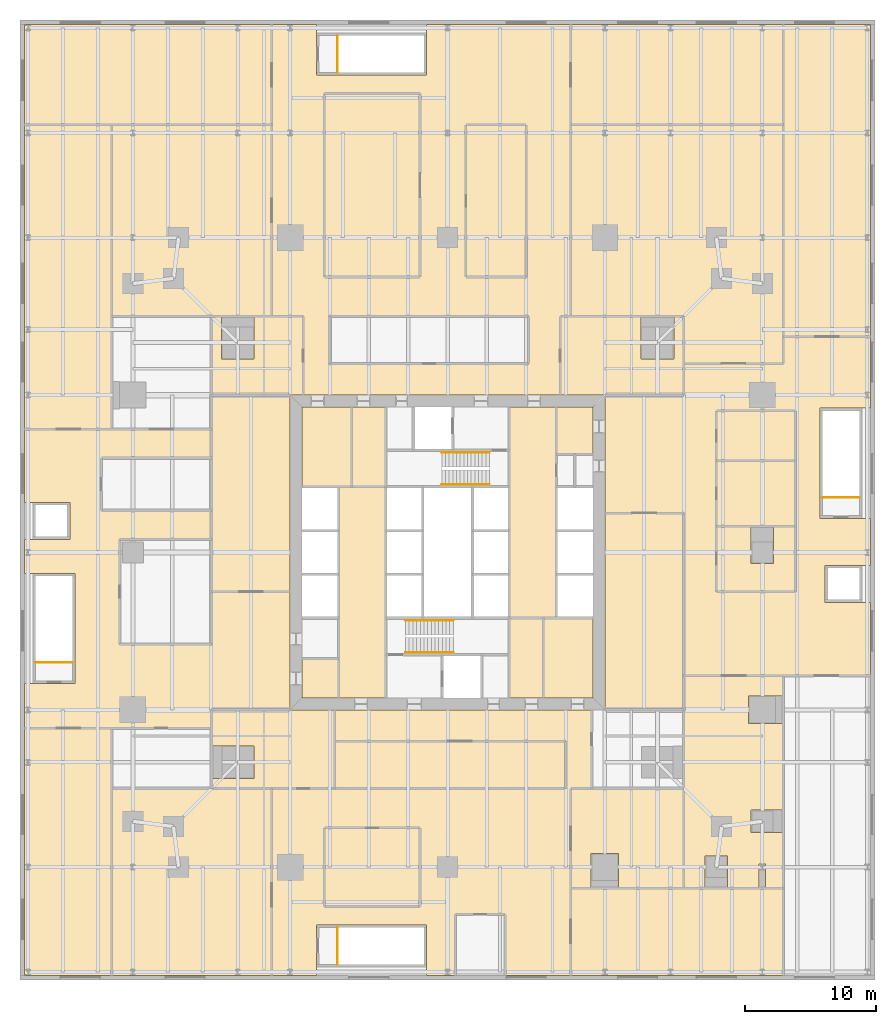
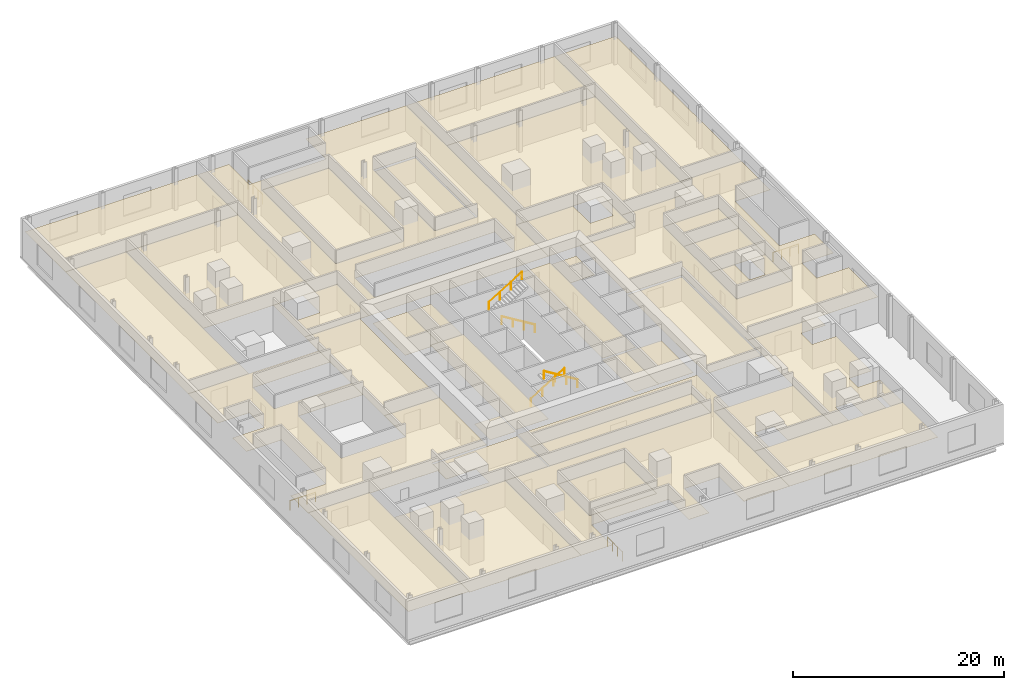
# One storey, part 15 of 15: 35 coverings, 8 railings.
"""IFC4 building model written with IfcOpenShell, lengths in metres."""

from ifc_helpers import new_model, si_unit, direction, frame, origin, origin_2d, place, context, subcontext, project, spatial, polyline, circle, outline, extrude, material, layer, layer_set, type_object, element, save


model = new_model("IFC4")

# Units and contexts
model_context = context("Model", 3, precision=1e-05, world=origin(), true_north=direction((0.0, 1.0)))
body_context = subcontext(model_context, "Body", "Model", "MODEL_VIEW")
ifc_project = project(units=[si_unit("LENGTHUNIT", "METRE"), si_unit("AREAUNIT", "SQUARE_METRE"), si_unit("VOLUMEUNIT", "CUBIC_METRE"), si_unit("PLANEANGLEUNIT", "RADIAN"), si_unit("MASSUNIT", "GRAM", prefix="KILO")], contexts=[model_context])

# Site, building, storey
site_placement = place(None, origin())
site = spatial("IfcSite", under=ifc_project, at=site_placement, CompositionType="ELEMENT")
building_placement = place(site_placement, origin())
building = spatial("IfcBuilding", under=site, at=building_placement, Name="Fenwick Lantern Interchange", CompositionType="ELEMENT")
storey_placement = place(building_placement, frame((0.0, 0.0, 26.199951171875)))
storey = spatial("IfcBuildingStorey", under=building, at=storey_placement, Name="L05", CompositionType="ELEMENT", Elevation=26.199951171875)

# Coverings
ifc_material_1 = material(Name="Mineral fibre acoustic tile on suspended grid")
ifc_layer_1 = layer(ifc_material_1, 0.02001953125)
ifc_layer_set_1 = layer_set([ifc_layer_1], Name="ACOUSTIC TILE CEILING 20")
covering_type_1 = type_object("IfcCoveringType", Name="ACOUSTIC TILE CEILING 20", PredefinedType="CEILING", material=ifc_layer_set_1)
covering_1_placement = place(storey_placement, frame((0.0, 0.0, 2.900146484375)))
element("IfcCovering", 1, at=covering_1_placement, inside=storey, type_object=covering_type_1, Name="Business centre corridor north ceiling", PredefinedType="CEILING", context=body_context, shape_type="SweptSolid", body=[
    extrude(outline(polyline([(34.39990234375, 65.25), (23.39990234375, 65.25), (23.39990234375, 64.60009765625), (23.39990234375, 61.39990234375), (15.0, 61.39990234375), (15.0, 64.60009765625), (15.0, 65.25), (11.60009765625, 65.25), (11.60009765625, 57.60009765625), (11.60009765625, 43.0), (14.0, 43.0), (14.0, 37.0), (33.60009765625, 37.0), (33.60009765625, 43.0), (34.39990234375, 43.0), (34.39990234375, 57.60009765625), (34.39990234375, 65.25)]), holes=[polyline([(16.0, 43.0), (31.199951171875, 43.0), (31.199951171875, 39.39990234375), (16.0, 39.39990234375), (16.0, 43.0)]), polyline([(26.39990234375, 57.60009765625), (31.0, 57.60009765625), (31.0, 46.0), (26.39990234375, 46.0), (26.39990234375, 57.60009765625)]), polyline([(15.60009765625, 46.0), (15.60009765625, 60.0), (22.89990234375, 60.0), (22.89990234375, 46.0), (15.60009765625, 46.0)])]), origin(), (0.0, 0.0, 1.0), 0.02001953125),
])
covering_2_placement = place(storey_placement, frame((0.0, 0.0, 2.900146484375)))
element("IfcCovering", 2, at=covering_2_placement, inside=storey, type_object=covering_type_1, Name="Business centre corridor south ceiling", PredefinedType="CEILING", context=body_context, shape_type="SweptSolid", body=[
    extrude(outline(polyline([(11.60009765625, -7.25), (15.0, -7.25), (15.0, -6.60009765625), (15.0, -3.39990234375), (23.39990234375, -3.39990234375), (23.39990234375, -6.60009765625), (23.39990234375, -7.25), (25.60009765625, -7.25), (25.60009765625, -2.60009765625), (29.39990234375, -2.60009765625), (29.39990234375, -7.25), (34.39990234375, -7.25), (34.39990234375, -0.60009765625), (34.39990234375, 7.0), (36.0, 7.0), (36.0, 13.0), (16.39990234375, 13.0), (16.39990234375, 10.60009765625), (34.0, 10.60009765625), (34.0, 7.0), (16.39990234375, 7.0), (11.60009765625, 7.0), (11.60009765625, -7.25)]), holes=[polyline([(22.89990234375, 4.0), (22.89990234375, -2.0), (15.60009765625, -2.0), (15.60009765625, 4.0), (22.89990234375, 4.0)])]), origin(), (0.0, 0.0, 1.0), 0.02001953125),
])
covering_3_placement = place(storey_placement, frame((0.0, 0.0, 2.900146484375)))
element("IfcCovering", 3, at=covering_3_placement, inside=storey, type_object=covering_type_1, Name="Business centre corridor east ceiling", PredefinedType="CEILING", context=body_context, shape_type="SweptSolid", body=[
    extrude(outline(polyline([(57.25, 15.60009765625), (57.25, 21.199951171875), (56.60009765625, 21.199951171875), (53.800048828125, 21.199951171875), (53.800048828125, 24.0), (56.60009765625, 24.0), (57.25, 24.0), (57.25, 27.60009765625), (56.60009765625, 27.60009765625), (53.39990234375, 27.60009765625), (53.39990234375, 36.0), (56.60009765625, 36.0), (57.25, 36.0), (57.25, 41.449951171875), (50.60009765625, 41.449951171875), (50.60009765625, 39.39990234375), (43.0, 39.39990234375), (43.0, 37.0), (37.0, 37.0), (37.0, 28.0), (43.0, 28.0), (43.0, 15.60009765625), (50.60009765625, 15.60009765625), (57.25, 15.60009765625)]), holes=[polyline([(45.5, 35.800048828125), (51.5, 35.800048828125), (51.5, 32.0), (51.5, 27.0), (51.5, 22.0), (45.5, 22.0), (45.5, 27.0), (45.5, 32.0), (45.5, 35.800048828125)])]), origin(), (0.0, 0.0, 1.0), 0.02001953125),
])
covering_4_placement = place(storey_placement, frame((0.0, 0.0, 2.900146484375)))
element("IfcCovering", 4, at=covering_4_placement, inside=storey, type_object=covering_type_1, Name="Business centre corridor west ceiling", PredefinedType="CEILING", context=body_context, shape_type="SweptSolid", body=[
    extrude(outline(polyline([(-7.25, 34.39990234375), (-7.25, 28.800048828125), (-6.60009765625, 28.800048828125), (-3.800048828125, 28.800048828125), (-3.800048828125, 26.0), (-6.60009765625, 26.0), (-7.25, 26.0), (-7.25, 23.39990234375), (-6.60009765625, 23.39990234375), (-3.39990234375, 23.39990234375), (-3.39990234375, 15.0), (-6.60009765625, 15.0), (-7.25, 15.0), (-7.25, 11.60009765625), (-0.60009765625, 11.60009765625), (7.0, 11.60009765625), (7.0, 13.0), (13.0, 13.0), (13.0, 22.0), (7.0, 22.0), (7.0, 18.0), (0.0, 18.0), (0.0, 26.0), (7.0, 26.0), (7.0, 28.199951171875), (-1.39990234375, 28.199951171875), (-1.39990234375, 32.199951171875), (7.0, 32.199951171875), (7.0, 34.39990234375), (-0.60009765625, 34.39990234375), (-7.25, 34.39990234375)])), origin(), (0.0, 0.0, 1.0), 0.02001953125),
])
covering_5_placement = place(storey_placement, frame((0.0, 0.0, 2.900146484375)))
element("IfcCovering", 5, at=covering_5_placement, inside=storey, type_object=covering_type_1, Name="Office suite 05-1 ceiling", PredefinedType="CEILING", context=body_context, shape_type="SweptSolid", body=[
    extrude(outline(polyline([(-0.60009765625, -7.25), (11.60009765625, -7.25), (11.60009765625, 7.0), (-0.60009765625, 7.0), (-0.60009765625, -7.25)])), origin(), (0.0, 0.0, 1.0), 0.02001953125),
])
covering_6_placement = place(storey_placement, frame((0.0, 0.0, 2.900146484375)))
element("IfcCovering", 6, at=covering_6_placement, inside=storey, type_object=covering_type_1, Name="Office suite 05-8 ceiling", PredefinedType="CEILING", context=body_context, shape_type="SweptSolid", body=[
    extrude(outline(polyline([(34.39990234375, -0.60009765625), (34.39990234375, -7.25), (50.60009765625, -7.25), (50.60009765625, -0.60009765625), (34.39990234375, -0.60009765625)])), origin(), (0.0, 0.0, 1.0), 0.02001953125),
])
covering_7_placement = place(storey_placement, frame((0.0, 0.0, 2.900146484375)))
element("IfcCovering", 7, at=covering_7_placement, inside=storey, type_object=covering_type_1, Name="Meeting room 05-2 ceiling", PredefinedType="CEILING", context=body_context, shape_type="SweptSolid", body=[
    extrude(outline(polyline([(34.39990234375, 7.0), (34.39990234375, -0.60009765625), (35.949951171875, -0.60009765625), (35.949951171875, 2.050048828125), (38.050048828125, 2.050048828125), (38.050048828125, -0.60009765625), (43.0, -0.60009765625), (43.0, 7.0), (34.39990234375, 7.0)])), origin(), (0.0, 0.0, 1.0), 0.02001953125),
])
covering_8_placement = place(storey_placement, frame((0.0, 0.0, 2.900146484375)))
element("IfcCovering", 8, at=covering_8_placement, inside=storey, type_object=covering_type_1, Name="Office suite 05-2 ceiling", PredefinedType="CEILING", context=body_context, shape_type="SweptSolid", body=[
    extrude(outline(polyline([(47.949951171875, 14.050048828125), (50.60009765625, 14.050048828125), (50.60009765625, 15.60009765625), (43.0, 15.60009765625), (43.0, -0.60009765625), (44.64990234375, -0.60009765625), (44.64990234375, 1.85009765625), (46.35009765625, 1.85009765625), (46.35009765625, -0.60009765625), (48.746826171875, -0.60009765625), (48.746826171875, 1.25830078125), (49.253173828125, 1.25830078125), (49.253173828125, -0.60009765625), (50.60009765625, -0.60009765625), (50.60009765625, 3.64990234375), (48.14990234375, 3.64990234375), (48.14990234375, 5.35009765625), (50.60009765625, 5.35009765625), (50.60009765625, 11.949951171875), (47.949951171875, 11.949951171875), (47.949951171875, 14.050048828125)])), origin(), (0.0, 0.0, 1.0), 0.02001953125),
])
covering_9_placement = place(storey_placement, frame((0.0, 0.0, 2.900146484375)))
element("IfcCovering", 9, at=covering_9_placement, inside=storey, type_object=covering_type_1, Name="Office suite 05-3 ceiling", PredefinedType="CEILING", context=body_context, shape_type="SweptSolid", body=[
    extrude(outline(polyline([(50.60009765625, 39.39990234375), (50.60009765625, 57.60009765625), (34.39990234375, 57.60009765625), (34.39990234375, 43.0), (43.0, 43.0), (43.0, 39.39990234375), (50.60009765625, 39.39990234375)])), origin(), (0.0, 0.0, 1.0), 0.02001953125),
])
covering_10_placement = place(storey_placement, frame((0.0, 0.0, 2.900146484375)))
element("IfcCovering", 10, at=covering_10_placement, inside=storey, type_object=covering_type_1, Name="Office suite 05-4 ceiling", PredefinedType="CEILING", context=body_context, shape_type="SweptSolid", body=[
    extrude(outline(polyline([(57.25, 65.25), (50.60009765625, 65.25), (50.60009765625, 41.449951171875), (57.25, 41.449951171875), (57.25, 65.25)])), origin(), (0.0, 0.0, 1.0), 0.02001953125),
])
covering_11_placement = place(storey_placement, frame((0.0, 0.0, 2.900146484375)))
element("IfcCovering", 11, at=covering_11_placement, inside=storey, type_object=covering_type_1, Name="Office suite 05-9 ceiling", PredefinedType="CEILING", context=body_context, shape_type="SweptSolid", body=[
    extrude(outline(polyline([(50.60009765625, 57.60009765625), (50.60009765625, 65.25), (34.39990234375, 65.25), (34.39990234375, 57.60009765625), (50.60009765625, 57.60009765625)])), origin(), (0.0, 0.0, 1.0), 0.02001953125),
])
covering_12_placement = place(storey_placement, frame((0.0, 0.0, 2.900146484375)))
element("IfcCovering", 12, at=covering_12_placement, inside=storey, type_object=covering_type_1, Name="Office suite 05-5 ceiling", PredefinedType="CEILING", context=body_context, shape_type="SweptSolid", body=[
    extrude(outline(polyline([(-0.60009765625, 57.60009765625), (-7.25, 57.60009765625), (-7.25, 34.39990234375), (-0.60009765625, 34.39990234375), (-0.60009765625, 57.60009765625)])), origin(), (0.0, 0.0, 1.0), 0.02001953125),
])
covering_13_placement = place(storey_placement, frame((0.0, 0.0, 2.900146484375)))
element("IfcCovering", 13, at=covering_13_placement, inside=storey, type_object=covering_type_1, Name="Office suite 05-6 ceiling", PredefinedType="CEILING", context=body_context, shape_type="SweptSolid", body=[
    extrude(outline(polyline([(-0.60009765625, 43.0), (11.60009765625, 43.0), (11.60009765625, 57.60009765625), (-0.60009765625, 57.60009765625), (-0.60009765625, 43.0)])), origin(), (0.0, 0.0, 1.0), 0.02001953125),
])
covering_14_placement = place(storey_placement, frame((0.0, 0.0, 2.900146484375)))
element("IfcCovering", 14, at=covering_14_placement, inside=storey, type_object=covering_type_1, Name="Office suite 05-7 ceiling", PredefinedType="CEILING", context=body_context, shape_type="SweptSolid", body=[
    extrude(outline(polyline([(11.60009765625, 57.60009765625), (11.60009765625, 65.25), (-7.25, 65.25), (-7.25, 57.60009765625), (11.60009765625, 57.60009765625)])), origin(), (0.0, 0.0, 1.0), 0.02001953125),
])
covering_15_placement = place(storey_placement, frame((0.0, 0.0, 2.900146484375)))
element("IfcCovering", 15, at=covering_15_placement, inside=storey, type_object=covering_type_1, Name="Business centre reception ceiling", PredefinedType="CEILING", context=body_context, shape_type="SweptSolid", body=[
    extrude(outline(polyline([(7.0, 22.0), (13.0, 22.0), (13.0, 37.0), (7.0, 37.0), (7.0, 22.0)])), origin(), (0.0, 0.0, 1.0), 0.02001953125),
])
covering_16_placement = place(storey_placement, frame((0.0, 0.0, 2.699951171875)))
element("IfcCovering", 16, at=covering_16_placement, inside=storey, type_object=covering_type_1, Name="Print and copy room ceiling", PredefinedType="CEILING", context=body_context, shape_type="SweptSolid", body=[
    extrude(outline(polyline([(7.0, 7.75), (7.0, 7.0), (16.39990234375, 7.0), (16.39990234375, 13.0), (7.0, 13.0), (7.0, 10.25), (10.25, 10.25), (10.25, 7.75), (7.0, 7.75)])), origin(), (0.0, 0.0, 1.0), 0.02001953125),
])
covering_17_placement = place(storey_placement, frame((0.0, 0.0, 2.900146484375)))
element("IfcCovering", 17, at=covering_17_placement, inside=storey, type_object=covering_type_1, Name="Meeting room 05-4 ceiling", PredefinedType="CEILING", context=body_context, shape_type="SweptSolid", body=[
    extrude(outline(polyline([(33.60009765625, 43.0), (33.60009765625, 37.0), (43.0, 37.0), (43.0, 43.0), (42.25, 43.0), (42.25, 39.75), (39.75, 39.75), (39.75, 43.0), (33.60009765625, 43.0)])), origin(), (0.0, 0.0, 1.0), 0.02001953125),
])
covering_18_placement = place(storey_placement, frame((0.0, 0.0, 2.900146484375)))
element("IfcCovering", 18, at=covering_18_placement, inside=storey, type_object=covering_type_1, Name="Meeting room 05-5 ceiling", PredefinedType="CEILING", context=body_context, shape_type="SweptSolid", body=[
    extrude(outline(polyline([(7.0, 43.0), (7.0, 37.0), (14.0, 37.0), (14.0, 43.0), (10.25, 43.0), (10.25, 39.75), (7.75, 39.75), (7.75, 43.0), (7.0, 43.0)])), origin(), (0.0, 0.0, 1.0), 0.02001953125),
])
covering_19_placement = place(storey_placement, frame((0.0, 0.0, 2.900146484375)))
element("IfcCovering", 19, at=covering_19_placement, inside=storey, type_object=covering_type_1, Name="Office suite 05-10 ceiling", PredefinedType="CEILING", context=body_context, shape_type="SweptSolid", body=[
    extrude(outline(polyline([(15.60009765625, 4.0), (15.60009765625, -2.0), (22.89990234375, -2.0), (22.89990234375, 4.0), (15.60009765625, 4.0)])), origin(), (0.0, 0.0, 1.0), 0.02001953125),
])
covering_20_placement = place(storey_placement, frame((0.0, 0.0, 2.900146484375)))
element("IfcCovering", 20, at=covering_20_placement, inside=storey, type_object=covering_type_1, Name="Office suite 05-11 ceiling", PredefinedType="CEILING", context=body_context, shape_type="SweptSolid", body=[
    extrude(outline(polyline([(15.60009765625, 46.0), (22.89990234375, 46.0), (22.89990234375, 60.0), (15.60009765625, 60.0), (15.60009765625, 46.0)])), origin(), (0.0, 0.0, 1.0), 0.02001953125),
])
covering_21_placement = place(storey_placement, frame((0.0, 0.0, 2.900146484375)))
element("IfcCovering", 21, at=covering_21_placement, inside=storey, type_object=covering_type_1, Name="Meeting room 05-6 ceiling", PredefinedType="CEILING", context=body_context, shape_type="SweptSolid", body=[
    extrude(outline(polyline([(48.14990234375, 27.0), (45.5, 27.0), (45.5, 22.0), (51.5, 22.0), (51.5, 27.0), (49.85009765625, 27.0), (49.85009765625, 24.14990234375), (48.14990234375, 24.14990234375), (48.14990234375, 27.0)])), origin(), (0.0, 0.0, 1.0), 0.02001953125),
])
covering_22_placement = place(storey_placement, frame((0.0, 0.0, 2.900146484375)))
element("IfcCovering", 22, at=covering_22_placement, inside=storey, type_object=covering_type_1, Name="Meeting room 05-6B ceiling", PredefinedType="CEILING", context=body_context, shape_type="SweptSolid", body=[
    extrude(outline(polyline([(45.5, 32.0), (45.5, 27.0), (51.5, 27.0), (51.5, 32.0), (45.5, 32.0)])), origin(), (0.0, 0.0, 1.0), 0.02001953125),
])
covering_23_placement = place(storey_placement, frame((0.0, 0.0, 2.900146484375)))
element("IfcCovering", 23, at=covering_23_placement, inside=storey, type_object=covering_type_1, Name="Coworking room ceiling", PredefinedType="CEILING", context=body_context, shape_type="SweptSolid", body=[
    extrude(outline(polyline([(16.39990234375, 7.0), (34.0, 7.0), (34.0, 10.60009765625), (16.39990234375, 10.60009765625), (16.39990234375, 7.0)])), origin(), (0.0, 0.0, 1.0), 0.02001953125),
])
covering_24_placement = place(storey_placement, frame((0.0, 0.0, 2.900146484375)))
element("IfcCovering", 24, at=covering_24_placement, inside=storey, type_object=covering_type_1, Name="Meeting room 05-7 ceiling", PredefinedType="CEILING", context=body_context, shape_type="SweptSolid", body=[
    extrude(outline(polyline([(45.5, 32.0), (51.5, 32.0), (51.5, 35.800048828125), (45.5, 35.800048828125), (45.5, 32.0)])), origin(), (0.0, 0.0, 1.0), 0.02001953125),
])

# Railings
ifc_material_2 = material(Name="Stainless steel handrail", Category="steel")
railing_type_1 = type_object("IfcRailingType", Name="HANDRAIL 900", PredefinedType="HANDRAIL", material=ifc_material_2)
railing_1_placement = place(storey_placement, frame((21.800048828125, 19.825927734375, 0.17138671875)))
element("IfcRailing", 25, at=railing_1_placement, inside=storey, type_object=railing_type_1, Name="L05/STAIR/ST1/HR1", PredefinedType="HANDRAIL", context=body_context, shape_type="SweptSolid", body=[
    extrude(circle(Radius=0.02392578125, at=origin_2d()), frame((0.0, 0.0, 0.8759765625), z_axis=(0.852824790078, 0.0, 0.522197163366), x_axis=(0.0, 1.0, 0.0)), (0.0, 0.0, 1.0), 4.26806640625),
    extrude(circle(Radius=0.02099609375, at=origin_2d()), origin(), (0.0, 0.0, 1.0), 0.851806640625),
    extrude(circle(Radius=0.02099609375, at=origin_2d()), frame((1.21337890625, 0.0, 0.742919921875)), (0.0, 0.0, 1.0), 0.851806640625),
    extrude(circle(Radius=0.02099609375, at=origin_2d()), frame((2.426513671875, 0.0, 1.48583984375)), (0.0, 0.0, 1.0), 0.851806640625),
    extrude(circle(Radius=0.02099609375, at=origin_2d()), frame((3.639892578125, 0.0, 2.228759765625)), (0.0, 0.0, 1.0), 0.851806640625),
])
railing_2_placement = place(storey_placement, frame((25.43994140625, 17.3740234375, 2.571533203125)))
element("IfcRailing", 26, at=railing_2_placement, inside=storey, type_object=railing_type_1, Name="L05/STAIR/ST1/HR2", PredefinedType="HANDRAIL", context=body_context, shape_type="SweptSolid", body=[
    extrude(circle(Radius=0.02392578125, at=origin_2d()), frame((0.0, 0.0, 0.8759765625), z_axis=(-0.852850264322, 0.0, 0.5221555579), x_axis=(0.0, -1.0, 0.0)), (0.0, 0.0, 1.0), 4.267822265625),
    extrude(circle(Radius=0.02099609375, at=origin_2d()), origin(), (0.0, 0.0, 1.0), 0.851806640625),
    extrude(circle(Radius=0.02099609375, at=origin_2d()), frame((-1.21337890625, 0.0, 0.742919921875)), (0.0, 0.0, 1.0), 0.851806640625),
    extrude(circle(Radius=0.02099609375, at=origin_2d()), frame((-2.426513671875, 0.0, 1.485595703125)), (0.0, 0.0, 1.0), 0.851806640625),
    extrude(circle(Radius=0.02099609375, at=origin_2d()), frame((-3.639892578125, 0.0, 2.228515625)), (0.0, 0.0, 1.0), 0.851806640625),
])
railing_3_placement = place(storey_placement, frame((28.199951171875, 30.174072265625, 0.17138671875)))
element("IfcRailing", 27, at=railing_3_placement, inside=storey, type_object=railing_type_1, Name="L05/STAIR/ST2/HR1", PredefinedType="HANDRAIL", context=body_context, shape_type="SweptSolid", body=[
    extrude(circle(Radius=0.02392578125, at=origin_2d()), frame((0.0, 0.0, 0.8759765625), z_axis=(-0.852824790078, 0.0, 0.522197163366), x_axis=(0.0, -1.0, 0.0)), (0.0, 0.0, 1.0), 4.26806640625),
    extrude(circle(Radius=0.02099609375, at=origin_2d()), origin(), (0.0, 0.0, 1.0), 0.851806640625),
    extrude(circle(Radius=0.02099609375, at=origin_2d()), frame((-1.21337890625, 0.0, 0.742919921875)), (0.0, 0.0, 1.0), 0.851806640625),
    extrude(circle(Radius=0.02099609375, at=origin_2d()), frame((-2.426513671875, 0.0, 1.48583984375)), (0.0, 0.0, 1.0), 0.851806640625),
    extrude(circle(Radius=0.02099609375, at=origin_2d()), frame((-3.639892578125, 0.0, 2.228759765625)), (0.0, 0.0, 1.0), 0.851806640625),
])
railing_4_placement = place(storey_placement, frame((24.56005859375, 32.6259765625, 2.571533203125)))
element("IfcRailing", 28, at=railing_4_placement, inside=storey, type_object=railing_type_1, Name="L05/STAIR/ST2/HR2", PredefinedType="HANDRAIL", context=body_context, shape_type="SweptSolid", body=[
    extrude(circle(Radius=0.02392578125, at=origin_2d()), frame((0.0, 0.0, 0.8759765625), z_axis=(0.852850264322, 0.0, 0.5221555579), x_axis=(0.0, 1.0, 0.0)), (0.0, 0.0, 1.0), 4.267822265625),
    extrude(circle(Radius=0.02099609375, at=origin_2d()), origin(), (0.0, 0.0, 1.0), 0.851806640625),
    extrude(circle(Radius=0.02099609375, at=origin_2d()), frame((1.21337890625, 0.0, 0.742919921875)), (0.0, 0.0, 1.0), 0.851806640625),
    extrude(circle(Radius=0.02099609375, at=origin_2d()), frame((2.426513671875, 0.0, 1.485595703125)), (0.0, 0.0, 1.0), 0.851806640625),
    extrude(circle(Radius=0.02099609375, at=origin_2d()), frame((3.639892578125, 0.0, 2.228515625)), (0.0, 0.0, 1.0), 0.851806640625),
])

# Coverings
ifc_material_3 = material(Name="Moisture resistant gypsum board on suspended frame, painted")
ifc_layer_2 = layer(ifc_material_3, 0.014892578125)
ifc_layer_set_2 = layer_set([ifc_layer_2], Name="MOISTURE RESISTANT CEILING 15")
covering_type_2 = type_object("IfcCoveringType", Name="MOISTURE RESISTANT CEILING 15", PredefinedType="CEILING", material=ifc_layer_set_2)
covering_25_placement = place(storey_placement, frame((0.0, 0.0, 2.60009765625)))
element("IfcCovering", 29, at=covering_25_placement, inside=storey, type_object=covering_type_2, Name="Men's WC ceiling", PredefinedType="CEILING", context=body_context, shape_type="SweptSolid", body=[
    extrude(outline(polyline([(29.699951171875, 13.89990234375), (32.300048828125, 13.89990234375), (32.300048828125, 20.0), (29.699951171875, 20.0), (29.699951171875, 13.89990234375)])), origin(), (0.0, 0.0, 1.0), 0.014892578125),
])
covering_26_placement = place(storey_placement, frame((0.0, 0.0, 2.60009765625)))
element("IfcCovering", 30, at=covering_26_placement, inside=storey, type_object=covering_type_2, Name="Women's WC ceiling", PredefinedType="CEILING", context=body_context, shape_type="SweptSolid", body=[
    extrude(outline(polyline([(32.300048828125, 13.89990234375), (36.10009765625, 13.89990234375), (36.10009765625, 20.0), (32.300048828125, 20.0), (32.300048828125, 13.89990234375)])), origin(), (0.0, 0.0, 1.0), 0.014892578125),
])
covering_27_placement = place(storey_placement, frame((0.0, 0.0, 2.60009765625)))
element("IfcCovering", 31, at=covering_27_placement, inside=storey, type_object=covering_type_2, Name="Accessible WC ceiling", PredefinedType="CEILING", context=body_context, shape_type="SweptSolid", body=[
    extrude(outline(polyline([(13.89990234375, 13.89990234375), (16.699951171875, 13.89990234375), (16.699951171875, 16.89990234375), (13.89990234375, 16.89990234375), (13.89990234375, 13.89990234375)])), origin(), (0.0, 0.0, 1.0), 0.014892578125),
])
covering_28_placement = place(storey_placement, frame((0.0, 0.0, 2.60009765625)))
element("IfcCovering", 32, at=covering_28_placement, inside=storey, type_object=covering_type_2, Name="Men's WC ceiling", PredefinedType="CEILING", context=body_context, shape_type="SweptSolid", body=[
    extrude(outline(polyline([(20.300048828125, 36.10009765625), (17.699951171875, 36.10009765625), (17.699951171875, 30.0), (20.300048828125, 30.0), (20.300048828125, 36.10009765625)])), origin(), (0.0, 0.0, 1.0), 0.014892578125),
])
covering_29_placement = place(storey_placement, frame((0.0, 0.0, 2.60009765625)))
element("IfcCovering", 33, at=covering_29_placement, inside=storey, type_object=covering_type_2, Name="Women's WC ceiling", PredefinedType="CEILING", context=body_context, shape_type="SweptSolid", body=[
    extrude(outline(polyline([(17.699951171875, 36.10009765625), (13.89990234375, 36.10009765625), (13.89990234375, 30.0), (17.699951171875, 30.0), (17.699951171875, 36.10009765625)])), origin(), (0.0, 0.0, 1.0), 0.014892578125),
])
covering_30_placement = place(storey_placement, frame((0.0, 0.0, 2.60009765625)))
element("IfcCovering", 34, at=covering_30_placement, inside=storey, type_object=covering_type_2, Name="Accessible WC and shower ceiling", PredefinedType="CEILING", context=body_context, shape_type="SweptSolid", body=[
    extrude(outline(polyline([(36.10009765625, 36.10009765625), (33.300048828125, 36.10009765625), (33.300048828125, 32.5), (36.10009765625, 32.5), (36.10009765625, 36.10009765625)])), origin(), (0.0, 0.0, 1.0), 0.014892578125),
])
covering_31_placement = place(storey_placement, frame((0.0, 0.0, 3.0)))
element("IfcCovering", 35, at=covering_31_placement, inside=storey, type_object=covering_type_2, Name="Conference kitchen ceiling", PredefinedType="CEILING", context=body_context, shape_type="SweptSolid", body=[
    extrude(outline(polyline([(-0.60009765625, 11.60009765625), (-7.25, 11.60009765625), (-7.25, -7.25), (-0.60009765625, -7.25), (-0.60009765625, 11.60009765625)])), origin(), (0.0, 0.0, 1.0), 0.01513671875),
])
covering_32_placement = place(storey_placement, frame((0.0, 0.0, 2.699951171875)))
element("IfcCovering", 36, at=covering_32_placement, inside=storey, type_object=covering_type_2, Name="Pantry ceiling", PredefinedType="CEILING", context=body_context, shape_type="SweptSolid", body=[
    extrude(outline(polyline([(37.0, 13.0), (43.0, 13.0), (43.0, 28.0), (37.0, 28.0), (37.0, 13.0)])), origin(), (0.0, 0.0, 1.0), 0.01513671875),
])
ifc_material_4 = material(Name="Gypsum plasterboard on suspended frame, painted")
ifc_layer_3 = layer(ifc_material_4, 0.014892578125)
ifc_layer_set_3 = layer_set([ifc_layer_3], Name="PLASTERBOARD CEILING 15")
covering_type_3 = type_object("IfcCoveringType", Name="PLASTERBOARD CEILING 15", PredefinedType="CEILING", material=ifc_layer_set_3)
covering_33_placement = place(storey_placement, frame((0.0, 0.0, 2.800048828125)))
element("IfcCovering", 37, at=covering_33_placement, inside=storey, type_object=covering_type_3, Name="Lift lobby ceiling", PredefinedType="CEILING", context=body_context, shape_type="SweptSolid", body=[
    extrude(outline(polyline([(16.699951171875, 13.89990234375), (20.300048828125, 13.89990234375), (20.300048828125, 30.0), (16.699951171875, 30.0), (16.699951171875, 13.89990234375)])), origin(), (0.0, 0.0, 1.0), 0.014892578125),
])
covering_34_placement = place(storey_placement, frame((0.0, 0.0, 2.800048828125)))
element("IfcCovering", 38, at=covering_34_placement, inside=storey, type_object=covering_type_3, Name="Lift lobby ceiling", PredefinedType="CEILING", context=body_context, shape_type="SweptSolid", body=[
    extrude(outline(polyline([(33.300048828125, 36.10009765625), (29.699951171875, 36.10009765625), (29.699951171875, 20.0), (33.300048828125, 20.0), (33.300048828125, 36.10009765625)])), origin(), (0.0, 0.0, 1.0), 0.014892578125),
])
covering_35_placement = place(storey_placement, frame((0.0, 0.0, 2.699951171875)))
element("IfcCovering", 39, at=covering_35_placement, inside=storey, type_object=covering_type_3, Name="Wellness room ceiling", PredefinedType="CEILING", context=body_context, shape_type="SweptSolid", body=[
    extrude(outline(polyline([(26.39990234375, 46.0), (31.0, 46.0), (31.0, 57.60009765625), (26.39990234375, 57.60009765625), (26.39990234375, 46.0)])), origin(), (0.0, 0.0, 1.0), 0.01513671875),
])

# Railings
ifc_material_5 = material(Name="Stainless steel stair guard", Category="steel")
railing_type_2 = type_object("IfcRailingType", Name="STAIR GUARD 1100", PredefinedType="GUARDRAIL", material=ifc_material_5)
for number, where, name in (
    (40, (16.60009765625, 61.60009765625, 0.0), "Stair guard"),
    (41, (16.60009765625, -6.39990234375, 0.0), "Stair guard"),
):
    element("IfcRailing", number, at=place(storey_placement, frame(where)), inside=storey, type_object=railing_type_2, Name=name, PredefinedType="GUARDRAIL", context=body_context, shape_type="SweptSolid", body=[
        extrude(circle(Radius=0.02392578125, at=origin_2d()), frame((0.0, 0.0, 1.076171875), z_axis=(0.0, 1.0, 0.0), x_axis=(-1.0, 0.0, 0.0)), (0.0, 0.0, 1.0), 2.7998046875),
        extrude(circle(Radius=0.02099609375, at=origin_2d()), origin(), (0.0, 0.0, 1.0), 1.052001953125),
        extrude(circle(Radius=0.02099609375, at=origin_2d()), frame((0.0, 0.933349609375, 0.0)), (0.0, 0.0, 1.0), 1.052001953125),
        extrude(circle(Radius=0.02099609375, at=origin_2d()), frame((0.0, 1.866455078125, 0.0)), (0.0, 0.0, 1.0), 1.052001953125),
        extrude(circle(Radius=0.02099609375, at=origin_2d()), frame((0.0, 2.7998046875, 0.0)), (0.0, 0.0, 1.0), 1.052001953125),
    ])
for number, where, name in (
    (42, (-6.39990234375, 16.60009765625, 0.0), "Stair guard"),
    (43, (53.60009765625, 29.199951171875, 0.0), "Stair guard"),
):
    element("IfcRailing", number, at=place(storey_placement, frame(where)), inside=storey, type_object=railing_type_2, Name=name, PredefinedType="GUARDRAIL", context=body_context, shape_type="SweptSolid", body=[
        extrude(circle(Radius=0.02392578125, at=origin_2d()), frame((0.0, 0.0, 1.076171875), z_axis=(1.0, 0.0, 0.0), x_axis=(0.0, 1.0, 0.0)), (0.0, 0.0, 1.0), 2.7998046875),
        extrude(circle(Radius=0.02099609375, at=origin_2d()), origin(), (0.0, 0.0, 1.0), 1.052001953125),
        extrude(circle(Radius=0.02099609375, at=origin_2d()), frame((0.933349609375, 0.0, 0.0)), (0.0, 0.0, 1.0), 1.052001953125),
        extrude(circle(Radius=0.02099609375, at=origin_2d()), frame((1.866455078125, 0.0, 0.0)), (0.0, 0.0, 1.0), 1.052001953125),
        extrude(circle(Radius=0.02099609375, at=origin_2d()), frame((2.7998046875, 0.0, 0.0)), (0.0, 0.0, 1.0), 1.052001953125),
    ])

save(model, "model.ifc")
